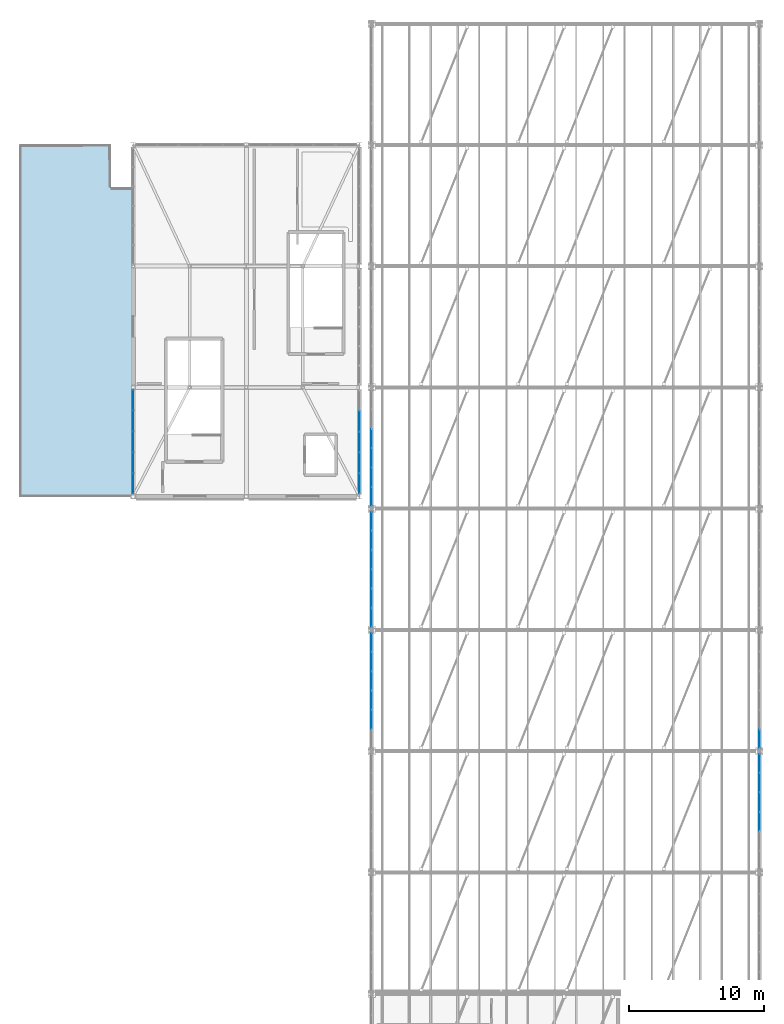
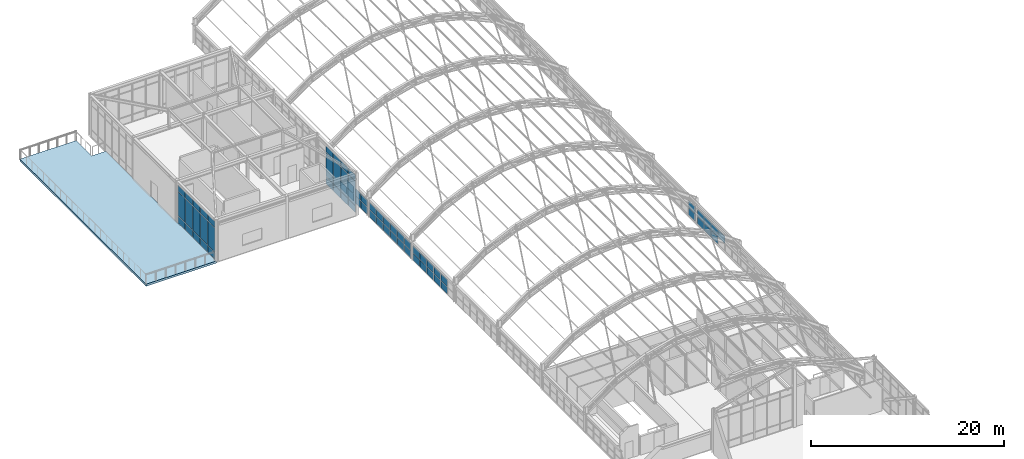
# One storey, part 99 of 121: 65 plates, 1 slab, 7 elements without a shape of their own.
"""IFC4 building model written with IfcOpenShell, lengths in metres."""

from ifc_helpers import new_model, si_unit, direction, frame, origin, origin_2d, place, context, subcontext, project, spatial, polyline, rectangle, outline, extrude, material, layer, layer_set, type_object, element, aggregate, save


model = new_model("IFC4")

# Units and contexts
model_context = context("Model", 3, precision=1e-05, world=origin(), true_north=direction((0.0, 1.0)))
body_context = subcontext(model_context, "Body", "Model", "MODEL_VIEW")
ifc_project = project(units=[si_unit("LENGTHUNIT", "METRE"), si_unit("AREAUNIT", "SQUARE_METRE"), si_unit("VOLUMEUNIT", "CUBIC_METRE"), si_unit("PLANEANGLEUNIT", "RADIAN"), si_unit("MASSUNIT", "GRAM", prefix="KILO")], contexts=[model_context])

# Site, building, storey
site_placement = place(None, origin())
site = spatial("IfcSite", under=ifc_project, at=site_placement, CompositionType="ELEMENT")
building_placement = place(site_placement, origin())
building = spatial("IfcBuilding", under=site, at=building_placement, Name="Canglan Escarpment Cableway Terminal", CompositionType="ELEMENT")
storey_placement = place(building_placement, frame((0.0, 0.0, 24.60009765625)))
storey = spatial("IfcBuildingStorey", under=building, at=storey_placement, Name="L05", CompositionType="ELEMENT", Elevation=24.60009765625)

# Curtain wall, plates
ifc_material_1 = material(Name="Anodized bronze aluminium and Low-E double glazing", Category="aluminium")
curtain_wall_type_1 = type_object("IfcCurtainWallType", Name="CW-BAY-8650x1950", PredefinedType="NOTDEFINED", material=ifc_material_1)
curtain_wall_1_placement = place(storey_placement, origin())
curtain_wall_1 = element("IfcCurtainWall", 1, at=curtain_wall_1_placement, inside=storey, type_object=curtain_wall_type_1, Name="Classical bay-between-piers glazed curtain wall CW-66", PredefinedType="NOTDEFINED")
ifc_material_2 = material(Name="Double-silver Low-E laminated insulating glass", Category="glass")
ifc_layer_1 = layer(ifc_material_2, 0.02392578125, Name="Double-silver Low-E laminated insulating glass")
ifc_layer_set_1 = layer_set([ifc_layer_1], Name="Double-silver Low-E laminated insulating glass")
plate_type_1 = type_object("IfcPlateType", Name="CWP-01", PredefinedType="CURTAIN_PANEL", material=ifc_layer_set_1)
plate_1_placement = place(storey_placement, frame((166.39990234375, 64.779052734375, 1.0048828125), z_axis=(0.0, 0.0, 1.0), x_axis=(0.0, 1.0, 0.0)))
plate_1 = element("IfcPlate", 2, at=plate_1_placement, type_object=plate_type_1, Name="CW-66 panel 3.2", PredefinedType="CURTAIN_PANEL", context=body_context, shape_type="SweptSolid", body=[
    extrude(rectangle(XDim=1.376708984375, YDim=0.02392578125, at=origin_2d()), origin(), (0.0, 0.0, 1.0), 0.885009765625),
])
plate_2_placement = place(storey_placement, frame((166.39990234375, 66.220947265625, 0.06005859375), z_axis=(0.0, 0.0, 1.0), x_axis=(0.0, 1.0, 0.0)))
plate_2 = element("IfcPlate", 3, at=plate_2_placement, type_object=plate_type_1, Name="CW-66 panel 4.1", PredefinedType="CURTAIN_PANEL", context=body_context, shape_type="SweptSolid", body=[
    extrude(rectangle(XDim=1.376708984375, YDim=0.02392578125, at=origin_2d()), origin(), (0.0, 0.0, 1.0), 0.885009765625),
])
plate_3_placement = place(storey_placement, frame((166.39990234375, 66.220947265625, 1.0048828125), z_axis=(0.0, 0.0, 1.0), x_axis=(0.0, 1.0, 0.0)))
plate_3 = element("IfcPlate", 4, at=plate_3_placement, type_object=plate_type_1, Name="CW-66 panel 4.2", PredefinedType="CURTAIN_PANEL", context=body_context, shape_type="SweptSolid", body=[
    extrude(rectangle(XDim=1.376708984375, YDim=0.02392578125, at=origin_2d()), origin(), (0.0, 0.0, 1.0), 0.885009765625),
])
plate_4_placement = place(storey_placement, frame((166.39990234375, 67.66259765625, 0.06005859375), z_axis=(0.0, 0.0, 1.0), x_axis=(0.0, 1.0, 0.0)))
plate_4 = element("IfcPlate", 5, at=plate_4_placement, type_object=plate_type_1, Name="CW-66 panel 5.1", PredefinedType="CURTAIN_PANEL", context=body_context, shape_type="SweptSolid", body=[
    extrude(rectangle(XDim=1.376708984375, YDim=0.02392578125, at=origin_2d()), origin(), (0.0, 0.0, 1.0), 0.885009765625),
])
plate_5_placement = place(storey_placement, frame((166.39990234375, 67.66259765625, 1.0048828125), z_axis=(0.0, 0.0, 1.0), x_axis=(0.0, 1.0, 0.0)))
plate_5 = element("IfcPlate", 6, at=plate_5_placement, type_object=plate_type_1, Name="CW-66 panel 5.2", PredefinedType="CURTAIN_PANEL", context=body_context, shape_type="SweptSolid", body=[
    extrude(rectangle(XDim=1.376708984375, YDim=0.02392578125, at=origin_2d()), origin(), (0.0, 0.0, 1.0), 0.885009765625),
])
plate_6_placement = place(storey_placement, frame((166.39990234375, 69.087890625, 0.06005859375), z_axis=(0.0, 0.0, 1.0), x_axis=(0.0, 1.0, 0.0)))
plate_6 = element("IfcPlate", 7, at=plate_6_placement, type_object=plate_type_1, Name="CW-66 panel 6.1", PredefinedType="CURTAIN_PANEL", context=body_context, shape_type="SweptSolid", body=[
    extrude(rectangle(XDim=1.34423828125, YDim=0.02392578125, at=origin_2d()), origin(), (0.0, 0.0, 1.0), 0.885009765625),
])
plate_7_placement = place(storey_placement, frame((166.39990234375, 69.087890625, 1.0048828125), z_axis=(0.0, 0.0, 1.0), x_axis=(0.0, 1.0, 0.0)))
plate_7 = element("IfcPlate", 8, at=plate_7_placement, type_object=plate_type_1, Name="CW-66 panel 6.2", PredefinedType="CURTAIN_PANEL", context=body_context, shape_type="SweptSolid", body=[
    extrude(rectangle(XDim=1.34423828125, YDim=0.02392578125, at=origin_2d()), origin(), (0.0, 0.0, 1.0), 0.885009765625),
])
aggregate(curtain_wall_1, [plate_1, plate_2, plate_3, plate_4, plate_5, plate_6, plate_7])

curtain_wall_2_placement = place(storey_placement, origin())
curtain_wall_2 = element("IfcCurtainWall", 9, at=curtain_wall_2_placement, inside=storey, type_object=curtain_wall_type_1, Name="Classical bay-between-piers glazed curtain wall CW-66", PredefinedType="NOTDEFINED")
plate_8_placement = place(storey_placement, frame((137.60009765625, 78.087890625, 0.06005859375), z_axis=(0.0, 0.0, 1.0), x_axis=(0.0, -1.0, 0.0)))
plate_8 = element("IfcPlate", 10, at=plate_8_placement, type_object=plate_type_1, Name="CW-66 panel 1.1", PredefinedType="CURTAIN_PANEL", context=body_context, shape_type="SweptSolid", body=[
    extrude(rectangle(XDim=1.34423828125, YDim=0.02392578125, at=origin_2d()), origin(), (0.0, 0.0, 1.0), 0.885009765625),
])
plate_9_placement = place(storey_placement, frame((137.60009765625, 78.087890625, 1.0048828125), z_axis=(0.0, 0.0, 1.0), x_axis=(0.0, -1.0, 0.0)))
plate_9 = element("IfcPlate", 11, at=plate_9_placement, type_object=plate_type_1, Name="CW-66 panel 1.2", PredefinedType="CURTAIN_PANEL", context=body_context, shape_type="SweptSolid", body=[
    extrude(rectangle(XDim=1.34423828125, YDim=0.02392578125, at=origin_2d()), origin(), (0.0, 0.0, 1.0), 0.885009765625),
])
plate_10_placement = place(storey_placement, frame((137.60009765625, 76.66259765625, 0.06005859375), z_axis=(0.0, 0.0, 1.0), x_axis=(0.0, -1.0, 0.0)))
plate_10 = element("IfcPlate", 12, at=plate_10_placement, type_object=plate_type_1, Name="CW-66 panel 2.1", PredefinedType="CURTAIN_PANEL", context=body_context, shape_type="SweptSolid", body=[
    extrude(rectangle(XDim=1.376708984375, YDim=0.02392578125, at=origin_2d()), origin(), (0.0, 0.0, 1.0), 0.885009765625),
])
plate_11_placement = place(storey_placement, frame((137.60009765625, 76.66259765625, 1.0048828125), z_axis=(0.0, 0.0, 1.0), x_axis=(0.0, -1.0, 0.0)))
plate_11 = element("IfcPlate", 13, at=plate_11_placement, type_object=plate_type_1, Name="CW-66 panel 2.2", PredefinedType="CURTAIN_PANEL", context=body_context, shape_type="SweptSolid", body=[
    extrude(rectangle(XDim=1.376708984375, YDim=0.02392578125, at=origin_2d()), origin(), (0.0, 0.0, 1.0), 0.885009765625),
])
plate_12_placement = place(storey_placement, frame((137.60009765625, 75.220947265625, 0.06005859375), z_axis=(0.0, 0.0, 1.0), x_axis=(0.0, -1.0, 0.0)))
plate_12 = element("IfcPlate", 14, at=plate_12_placement, type_object=plate_type_1, Name="CW-66 panel 3.1", PredefinedType="CURTAIN_PANEL", context=body_context, shape_type="SweptSolid", body=[
    extrude(rectangle(XDim=1.376708984375, YDim=0.02392578125, at=origin_2d()), origin(), (0.0, 0.0, 1.0), 0.885009765625),
])
plate_13_placement = place(storey_placement, frame((137.60009765625, 75.220947265625, 1.0048828125), z_axis=(0.0, 0.0, 1.0), x_axis=(0.0, -1.0, 0.0)))
plate_13 = element("IfcPlate", 15, at=plate_13_placement, type_object=plate_type_1, Name="CW-66 panel 3.2", PredefinedType="CURTAIN_PANEL", context=body_context, shape_type="SweptSolid", body=[
    extrude(rectangle(XDim=1.376708984375, YDim=0.02392578125, at=origin_2d()), origin(), (0.0, 0.0, 1.0), 0.885009765625),
])
plate_14_placement = place(storey_placement, frame((137.60009765625, 73.779052734375, 0.06005859375), z_axis=(0.0, 0.0, 1.0), x_axis=(0.0, -1.0, 0.0)))
plate_14 = element("IfcPlate", 16, at=plate_14_placement, type_object=plate_type_1, Name="CW-66 panel 4.1", PredefinedType="CURTAIN_PANEL", context=body_context, shape_type="SweptSolid", body=[
    extrude(rectangle(XDim=1.376708984375, YDim=0.02392578125, at=origin_2d()), origin(), (0.0, 0.0, 1.0), 0.885009765625),
])
plate_15_placement = place(storey_placement, frame((137.60009765625, 73.779052734375, 1.0048828125), z_axis=(0.0, 0.0, 1.0), x_axis=(0.0, -1.0, 0.0)))
plate_15 = element("IfcPlate", 17, at=plate_15_placement, type_object=plate_type_1, Name="CW-66 panel 4.2", PredefinedType="CURTAIN_PANEL", context=body_context, shape_type="SweptSolid", body=[
    extrude(rectangle(XDim=1.376708984375, YDim=0.02392578125, at=origin_2d()), origin(), (0.0, 0.0, 1.0), 0.885009765625),
])
plate_16_placement = place(storey_placement, frame((137.60009765625, 72.33740234375, 0.06005859375), z_axis=(0.0, 0.0, 1.0), x_axis=(0.0, -1.0, 0.0)))
plate_16 = element("IfcPlate", 18, at=plate_16_placement, type_object=plate_type_1, Name="CW-66 panel 5.1", PredefinedType="CURTAIN_PANEL", context=body_context, shape_type="SweptSolid", body=[
    extrude(rectangle(XDim=1.376708984375, YDim=0.02392578125, at=origin_2d()), origin(), (0.0, 0.0, 1.0), 0.885009765625),
])
plate_17_placement = place(storey_placement, frame((137.60009765625, 72.33740234375, 1.0048828125), z_axis=(0.0, 0.0, 1.0), x_axis=(0.0, -1.0, 0.0)))
plate_17 = element("IfcPlate", 19, at=plate_17_placement, type_object=plate_type_1, Name="CW-66 panel 5.2", PredefinedType="CURTAIN_PANEL", context=body_context, shape_type="SweptSolid", body=[
    extrude(rectangle(XDim=1.376708984375, YDim=0.02392578125, at=origin_2d()), origin(), (0.0, 0.0, 1.0), 0.885009765625),
])
aggregate(curtain_wall_2, [plate_8, plate_9, plate_10, plate_11, plate_12, plate_13, plate_14, plate_15, plate_16, plate_17])

curtain_wall_type_2 = type_object("IfcCurtainWallType", Name="CW-BAY-7750x4875", PredefinedType="NOTDEFINED", material=ifc_material_1)
curtain_wall_3_placement = place(storey_placement, origin())
curtain_wall_3 = element("IfcCurtainWall", 20, at=curtain_wall_3_placement, inside=storey, type_object=curtain_wall_type_2, Name="Classical bay-between-piers glazed curtain wall CW-57", PredefinedType="NOTDEFINED")
ifc_layer_2 = layer(ifc_material_2, 0.028076171875, Name="Double-silver Low-E laminated insulating glass")
ifc_layer_set_2 = layer_set([ifc_layer_2], Name="Double-silver Low-E laminated insulating glass")
plate_type_2 = type_object("IfcPlateType", Name="CWP-02", PredefinedType="CURTAIN_PANEL", material=ifc_layer_set_2)
plate_18_placement = place(storey_placement, frame((136.699951171875, 89.8662109375, 0.06005859375), z_axis=(0.0, 0.0, 1.0), x_axis=(0.0, 1.0, 0.0)))
plate_18 = element("IfcPlate", 21, at=plate_18_placement, type_object=plate_type_2, Name="CW-57 panel 1.1", PredefinedType="CURTAIN_PANEL", context=body_context, shape_type="SweptSolid", body=[
    extrude(rectangle(XDim=1.452392578125, YDim=0.028076171875, at=origin_2d()), origin(), (0.0, 0.0, 1.0), 0.860107421875),
])
plate_19_placement = place(storey_placement, frame((136.699951171875, 89.8662109375, 0.97998046875), z_axis=(0.0, 0.0, 1.0), x_axis=(0.0, 1.0, 0.0)))
plate_19 = element("IfcPlate", 22, at=plate_19_placement, type_object=plate_type_2, Name="CW-57 panel 1.2", PredefinedType="CURTAIN_PANEL", context=body_context, shape_type="SweptSolid", body=[
    extrude(rectangle(XDim=1.452392578125, YDim=0.028076171875, at=origin_2d()), origin(), (0.0, 0.0, 1.0), 3.02099609375),
])
plate_20_placement = place(storey_placement, frame((136.699951171875, 89.8662109375, 4.06103515625), z_axis=(0.0, 0.0, 1.0), x_axis=(0.0, 1.0, 0.0)))
plate_20 = element("IfcPlate", 23, at=plate_20_placement, type_object=plate_type_2, Name="CW-57 panel 1.3", PredefinedType="CURTAIN_PANEL", context=body_context, shape_type="SweptSolid", body=[
    extrude(rectangle(XDim=1.452392578125, YDim=0.028076171875, at=origin_2d()), origin(), (0.0, 0.0, 1.0), 0.760009765625),
])
plate_21_placement = place(storey_placement, frame((136.699951171875, 91.39990234375, 0.06005859375), z_axis=(0.0, 0.0, 1.0), x_axis=(0.0, 1.0, 0.0)))
plate_21 = element("IfcPlate", 24, at=plate_21_placement, type_object=plate_type_2, Name="CW-57 panel 2.1", PredefinedType="CURTAIN_PANEL", context=body_context, shape_type="SweptSolid", body=[
    extrude(rectangle(XDim=1.485107421875, YDim=0.028076171875, at=origin_2d()), origin(), (0.0, 0.0, 1.0), 0.860107421875),
])
plate_22_placement = place(storey_placement, frame((136.699951171875, 91.39990234375, 0.97998046875), z_axis=(0.0, 0.0, 1.0), x_axis=(0.0, 1.0, 0.0)))
plate_22 = element("IfcPlate", 25, at=plate_22_placement, type_object=plate_type_2, Name="CW-57 panel 2.2", PredefinedType="CURTAIN_PANEL", context=body_context, shape_type="SweptSolid", body=[
    extrude(rectangle(XDim=1.485107421875, YDim=0.028076171875, at=origin_2d()), origin(), (0.0, 0.0, 1.0), 3.02099609375),
])
plate_23_placement = place(storey_placement, frame((136.699951171875, 91.39990234375, 4.06103515625), z_axis=(0.0, 0.0, 1.0), x_axis=(0.0, 1.0, 0.0)))
plate_23 = element("IfcPlate", 26, at=plate_23_placement, type_object=plate_type_2, Name="CW-57 panel 2.3", PredefinedType="CURTAIN_PANEL", context=body_context, shape_type="SweptSolid", body=[
    extrude(rectangle(XDim=1.485107421875, YDim=0.028076171875, at=origin_2d()), origin(), (0.0, 0.0, 1.0), 0.760009765625),
])
plate_24_placement = place(storey_placement, frame((136.699951171875, 92.949951171875, 0.06005859375), z_axis=(0.0, 0.0, 1.0), x_axis=(0.0, 1.0, 0.0)))
plate_24 = element("IfcPlate", 27, at=plate_24_placement, type_object=plate_type_2, Name="CW-57 panel 3.1", PredefinedType="CURTAIN_PANEL", context=body_context, shape_type="SweptSolid", body=[
    extrude(rectangle(XDim=1.485107421875, YDim=0.028076171875, at=origin_2d()), origin(), (0.0, 0.0, 1.0), 0.860107421875),
])
plate_25_placement = place(storey_placement, frame((136.699951171875, 92.949951171875, 0.97998046875), z_axis=(0.0, 0.0, 1.0), x_axis=(0.0, 1.0, 0.0)))
plate_25 = element("IfcPlate", 28, at=plate_25_placement, type_object=plate_type_2, Name="CW-57 panel 3.2", PredefinedType="CURTAIN_PANEL", context=body_context, shape_type="SweptSolid", body=[
    extrude(rectangle(XDim=1.485107421875, YDim=0.028076171875, at=origin_2d()), origin(), (0.0, 0.0, 1.0), 3.02099609375),
])
plate_26_placement = place(storey_placement, frame((136.699951171875, 92.949951171875, 4.06103515625), z_axis=(0.0, 0.0, 1.0), x_axis=(0.0, 1.0, 0.0)))
plate_26 = element("IfcPlate", 29, at=plate_26_placement, type_object=plate_type_2, Name="CW-57 panel 3.3", PredefinedType="CURTAIN_PANEL", context=body_context, shape_type="SweptSolid", body=[
    extrude(rectangle(XDim=1.485107421875, YDim=0.028076171875, at=origin_2d()), origin(), (0.0, 0.0, 1.0), 0.760009765625),
])
plate_27_placement = place(storey_placement, frame((136.699951171875, 94.5, 0.06005859375), z_axis=(0.0, 0.0, 1.0), x_axis=(0.0, 1.0, 0.0)))
plate_27 = element("IfcPlate", 30, at=plate_27_placement, type_object=plate_type_2, Name="CW-57 panel 4.1", PredefinedType="CURTAIN_PANEL", context=body_context, shape_type="SweptSolid", body=[
    extrude(rectangle(XDim=1.485107421875, YDim=0.028076171875, at=origin_2d()), origin(), (0.0, 0.0, 1.0), 0.860107421875),
])
plate_28_placement = place(storey_placement, frame((136.699951171875, 94.5, 0.97998046875), z_axis=(0.0, 0.0, 1.0), x_axis=(0.0, 1.0, 0.0)))
plate_28 = element("IfcPlate", 31, at=plate_28_placement, type_object=plate_type_2, Name="CW-57 panel 4.2", PredefinedType="CURTAIN_PANEL", context=body_context, shape_type="SweptSolid", body=[
    extrude(rectangle(XDim=1.485107421875, YDim=0.028076171875, at=origin_2d()), origin(), (0.0, 0.0, 1.0), 3.02099609375),
])
plate_29_placement = place(storey_placement, frame((136.699951171875, 94.5, 4.06103515625), z_axis=(0.0, 0.0, 1.0), x_axis=(0.0, 1.0, 0.0)))
plate_29 = element("IfcPlate", 32, at=plate_29_placement, type_object=plate_type_2, Name="CW-57 panel 4.3", PredefinedType="CURTAIN_PANEL", context=body_context, shape_type="SweptSolid", body=[
    extrude(rectangle(XDim=1.485107421875, YDim=0.028076171875, at=origin_2d()), origin(), (0.0, 0.0, 1.0), 0.760009765625),
])
aggregate(curtain_wall_3, [plate_18, plate_19, plate_20, plate_21, plate_22, plate_23, plate_24, plate_25, plate_26, plate_27, plate_28, plate_29])

curtain_wall_type_3 = type_object("IfcCurtainWallType", Name="CW-BAY-7775x4875", PredefinedType="NOTDEFINED", material=ifc_material_1)
curtain_wall_4_placement = place(storey_placement, origin())
curtain_wall_4 = element("IfcCurtainWall", 33, at=curtain_wall_4_placement, inside=storey, type_object=curtain_wall_type_3, Name="Classical bay-between-piers glazed curtain wall CW-60", PredefinedType="NOTDEFINED")
plate_30_placement = place(storey_placement, frame((119.89990234375, 96.056640625, 0.06005859375), z_axis=(0.0, 0.0, 1.0), x_axis=(0.0, -1.0, 0.0)))
plate_30 = element("IfcPlate", 34, at=plate_30_placement, type_object=plate_type_2, Name="CW-60 panel 1.1", PredefinedType="CURTAIN_PANEL", context=body_context, shape_type="SweptSolid", body=[
    extrude(rectangle(XDim=1.45703125, YDim=0.028076171875, at=origin_2d()), origin(), (0.0, 0.0, 1.0), 0.860107421875),
])
plate_31_placement = place(storey_placement, frame((119.89990234375, 96.056640625, 0.97998046875), z_axis=(0.0, 0.0, 1.0), x_axis=(0.0, -1.0, 0.0)))
plate_31 = element("IfcPlate", 35, at=plate_31_placement, type_object=plate_type_2, Name="CW-60 panel 1.2", PredefinedType="CURTAIN_PANEL", context=body_context, shape_type="SweptSolid", body=[
    extrude(rectangle(XDim=1.45703125, YDim=0.028076171875, at=origin_2d()), origin(), (0.0, 0.0, 1.0), 3.02099609375),
])
plate_32_placement = place(storey_placement, frame((119.89990234375, 96.056640625, 4.06103515625), z_axis=(0.0, 0.0, 1.0), x_axis=(0.0, -1.0, 0.0)))
plate_32 = element("IfcPlate", 36, at=plate_32_placement, type_object=plate_type_2, Name="CW-60 panel 1.3", PredefinedType="CURTAIN_PANEL", context=body_context, shape_type="SweptSolid", body=[
    extrude(rectangle(XDim=1.45703125, YDim=0.028076171875, at=origin_2d()), origin(), (0.0, 0.0, 1.0), 0.760009765625),
])
plate_33_placement = place(storey_placement, frame((119.89990234375, 94.518310546875, 0.06005859375), z_axis=(0.0, 0.0, 1.0), x_axis=(0.0, -1.0, 0.0)))
plate_33 = element("IfcPlate", 37, at=plate_33_placement, type_object=plate_type_2, Name="CW-60 panel 2.1", PredefinedType="CURTAIN_PANEL", context=body_context, shape_type="SweptSolid", body=[
    extrude(rectangle(XDim=1.489501953125, YDim=0.028076171875, at=origin_2d()), origin(), (0.0, 0.0, 1.0), 0.860107421875),
])
plate_34_placement = place(storey_placement, frame((119.89990234375, 94.518310546875, 0.97998046875), z_axis=(0.0, 0.0, 1.0), x_axis=(0.0, -1.0, 0.0)))
plate_34 = element("IfcPlate", 38, at=plate_34_placement, type_object=plate_type_2, Name="CW-60 panel 2.2", PredefinedType="CURTAIN_PANEL", context=body_context, shape_type="SweptSolid", body=[
    extrude(rectangle(XDim=1.489501953125, YDim=0.028076171875, at=origin_2d()), origin(), (0.0, 0.0, 1.0), 3.02099609375),
])
plate_35_placement = place(storey_placement, frame((119.89990234375, 94.518310546875, 4.06103515625), z_axis=(0.0, 0.0, 1.0), x_axis=(0.0, -1.0, 0.0)))
plate_35 = element("IfcPlate", 39, at=plate_35_placement, type_object=plate_type_2, Name="CW-60 panel 2.3", PredefinedType="CURTAIN_PANEL", context=body_context, shape_type="SweptSolid", body=[
    extrude(rectangle(XDim=1.489501953125, YDim=0.028076171875, at=origin_2d()), origin(), (0.0, 0.0, 1.0), 0.760009765625),
])
plate_36_placement = place(storey_placement, frame((119.89990234375, 92.9638671875, 0.06005859375), z_axis=(0.0, 0.0, 1.0), x_axis=(0.0, -1.0, 0.0)))
plate_36 = element("IfcPlate", 40, at=plate_36_placement, type_object=plate_type_2, Name="CW-60 panel 3.1", PredefinedType="CURTAIN_PANEL", context=body_context, shape_type="SweptSolid", body=[
    extrude(rectangle(XDim=1.489501953125, YDim=0.028076171875, at=origin_2d()), origin(), (0.0, 0.0, 1.0), 0.860107421875),
])
plate_37_placement = place(storey_placement, frame((119.89990234375, 92.9638671875, 0.97998046875), z_axis=(0.0, 0.0, 1.0), x_axis=(0.0, -1.0, 0.0)))
plate_37 = element("IfcPlate", 41, at=plate_37_placement, type_object=plate_type_2, Name="CW-60 panel 3.2", PredefinedType="CURTAIN_PANEL", context=body_context, shape_type="SweptSolid", body=[
    extrude(rectangle(XDim=1.489501953125, YDim=0.028076171875, at=origin_2d()), origin(), (0.0, 0.0, 1.0), 3.02099609375),
])
plate_38_placement = place(storey_placement, frame((119.89990234375, 92.9638671875, 4.06103515625), z_axis=(0.0, 0.0, 1.0), x_axis=(0.0, -1.0, 0.0)))
plate_38 = element("IfcPlate", 42, at=plate_38_placement, type_object=plate_type_2, Name="CW-60 panel 3.3", PredefinedType="CURTAIN_PANEL", context=body_context, shape_type="SweptSolid", body=[
    extrude(rectangle(XDim=1.489501953125, YDim=0.028076171875, at=origin_2d()), origin(), (0.0, 0.0, 1.0), 0.760009765625),
])
plate_39_placement = place(storey_placement, frame((119.89990234375, 91.409423828125, 0.06005859375), z_axis=(0.0, 0.0, 1.0), x_axis=(0.0, -1.0, 0.0)))
plate_39 = element("IfcPlate", 43, at=plate_39_placement, type_object=plate_type_2, Name="CW-60 panel 4.1", PredefinedType="CURTAIN_PANEL", context=body_context, shape_type="SweptSolid", body=[
    extrude(rectangle(XDim=1.489501953125, YDim=0.028076171875, at=origin_2d()), origin(), (0.0, 0.0, 1.0), 0.860107421875),
])
plate_40_placement = place(storey_placement, frame((119.89990234375, 91.409423828125, 0.97998046875), z_axis=(0.0, 0.0, 1.0), x_axis=(0.0, -1.0, 0.0)))
plate_40 = element("IfcPlate", 44, at=plate_40_placement, type_object=plate_type_2, Name="CW-60 panel 4.2", PredefinedType="CURTAIN_PANEL", context=body_context, shape_type="SweptSolid", body=[
    extrude(rectangle(XDim=1.489501953125, YDim=0.028076171875, at=origin_2d()), origin(), (0.0, 0.0, 1.0), 3.02099609375),
])
plate_41_placement = place(storey_placement, frame((119.89990234375, 91.409423828125, 4.06103515625), z_axis=(0.0, 0.0, 1.0), x_axis=(0.0, -1.0, 0.0)))
plate_41 = element("IfcPlate", 45, at=plate_41_placement, type_object=plate_type_2, Name="CW-60 panel 4.3", PredefinedType="CURTAIN_PANEL", context=body_context, shape_type="SweptSolid", body=[
    extrude(rectangle(XDim=1.489501953125, YDim=0.028076171875, at=origin_2d()), origin(), (0.0, 0.0, 1.0), 0.760009765625),
])
plate_42_placement = place(storey_placement, frame((119.89990234375, 89.871337890625, 0.06005859375), z_axis=(0.0, 0.0, 1.0), x_axis=(0.0, -1.0, 0.0)))
plate_42 = element("IfcPlate", 46, at=plate_42_placement, type_object=plate_type_2, Name="CW-60 panel 5.1", PredefinedType="CURTAIN_PANEL", context=body_context, shape_type="SweptSolid", body=[
    extrude(rectangle(XDim=1.45703125, YDim=0.028076171875, at=origin_2d()), origin(), (0.0, 0.0, 1.0), 0.860107421875),
])
plate_43_placement = place(storey_placement, frame((119.89990234375, 89.871337890625, 0.97998046875), z_axis=(0.0, 0.0, 1.0), x_axis=(0.0, -1.0, 0.0)))
plate_43 = element("IfcPlate", 47, at=plate_43_placement, type_object=plate_type_2, Name="CW-60 panel 5.2", PredefinedType="CURTAIN_PANEL", context=body_context, shape_type="SweptSolid", body=[
    extrude(rectangle(XDim=1.45703125, YDim=0.028076171875, at=origin_2d()), origin(), (0.0, 0.0, 1.0), 3.02099609375),
])
plate_44_placement = place(storey_placement, frame((119.89990234375, 89.871337890625, 4.06103515625), z_axis=(0.0, 0.0, 1.0), x_axis=(0.0, -1.0, 0.0)))
plate_44 = element("IfcPlate", 48, at=plate_44_placement, type_object=plate_type_2, Name="CW-60 panel 5.3", PredefinedType="CURTAIN_PANEL", context=body_context, shape_type="SweptSolid", body=[
    extrude(rectangle(XDim=1.45703125, YDim=0.028076171875, at=origin_2d()), origin(), (0.0, 0.0, 1.0), 0.760009765625),
])
aggregate(curtain_wall_4, [plate_30, plate_31, plate_32, plate_33, plate_34, plate_35, plate_36, plate_37, plate_38, plate_39, plate_40, plate_41, plate_42, plate_43, plate_44])

curtain_wall_5_placement = place(storey_placement, origin())
curtain_wall_5 = element("IfcCurtainWall", 49, at=curtain_wall_5_placement, inside=storey, type_object=curtain_wall_type_1, Name="Classical bay-between-piers glazed curtain wall CW-66", PredefinedType="NOTDEFINED")
plate_45_placement = place(storey_placement, frame((166.39990234375, 70.912109375, 0.06494140625), z_axis=(0.0, 0.0, 1.0), x_axis=(0.0, 1.0, 0.0)))
plate_45 = element("IfcPlate", 50, at=plate_45_placement, type_object=plate_type_2, Name="CW-66 panel 1.1", PredefinedType="CURTAIN_PANEL", context=body_context, shape_type="SweptSolid", body=[
    extrude(rectangle(XDim=1.34423828125, YDim=0.028076171875, at=origin_2d()), origin(), (0.0, 0.0, 1.0), 0.87744140625),
])
plate_46_placement = place(storey_placement, frame((166.39990234375, 70.912109375, 1.00732421875), z_axis=(0.0, 0.0, 1.0), x_axis=(0.0, 1.0, 0.0)))
plate_46 = element("IfcPlate", 51, at=plate_46_placement, type_object=plate_type_2, Name="CW-66 panel 1.2", PredefinedType="CURTAIN_PANEL", context=body_context, shape_type="SweptSolid", body=[
    extrude(rectangle(XDim=1.34423828125, YDim=0.028076171875, at=origin_2d()), origin(), (0.0, 0.0, 1.0), 0.87744140625),
])
aggregate(curtain_wall_5, [plate_45, plate_46])

curtain_wall_6_placement = place(storey_placement, origin())
curtain_wall_6 = element("IfcCurtainWall", 52, at=curtain_wall_6_placement, inside=storey, type_object=curtain_wall_type_1, Name="Classical bay-between-piers glazed curtain wall CW-66", PredefinedType="NOTDEFINED")
plate_47_placement = place(storey_placement, frame((137.60009765625, 87.087890625, 0.06494140625), z_axis=(0.0, 0.0, 1.0), x_axis=(0.0, -1.0, 0.0)))
plate_47 = element("IfcPlate", 53, at=plate_47_placement, type_object=plate_type_2, Name="CW-66 panel 1.1", PredefinedType="CURTAIN_PANEL", context=body_context, shape_type="SweptSolid", body=[
    extrude(rectangle(XDim=1.34423828125, YDim=0.028076171875, at=origin_2d()), origin(), (0.0, 0.0, 1.0), 0.87744140625),
])
plate_48_placement = place(storey_placement, frame((137.60009765625, 87.087890625, 1.00732421875), z_axis=(0.0, 0.0, 1.0), x_axis=(0.0, -1.0, 0.0)))
plate_48 = element("IfcPlate", 54, at=plate_48_placement, type_object=plate_type_2, Name="CW-66 panel 1.2", PredefinedType="CURTAIN_PANEL", context=body_context, shape_type="SweptSolid", body=[
    extrude(rectangle(XDim=1.34423828125, YDim=0.028076171875, at=origin_2d()), origin(), (0.0, 0.0, 1.0), 0.87744140625),
])
plate_49_placement = place(storey_placement, frame((137.60009765625, 85.66259765625, 0.06494140625), z_axis=(0.0, 0.0, 1.0), x_axis=(0.0, -1.0, 0.0)))
plate_49 = element("IfcPlate", 55, at=plate_49_placement, type_object=plate_type_2, Name="CW-66 panel 2.1", PredefinedType="CURTAIN_PANEL", context=body_context, shape_type="SweptSolid", body=[
    extrude(rectangle(XDim=1.376708984375, YDim=0.028076171875, at=origin_2d()), origin(), (0.0, 0.0, 1.0), 0.87744140625),
])
plate_50_placement = place(storey_placement, frame((137.60009765625, 85.66259765625, 1.00732421875), z_axis=(0.0, 0.0, 1.0), x_axis=(0.0, -1.0, 0.0)))
plate_50 = element("IfcPlate", 56, at=plate_50_placement, type_object=plate_type_2, Name="CW-66 panel 2.2", PredefinedType="CURTAIN_PANEL", context=body_context, shape_type="SweptSolid", body=[
    extrude(rectangle(XDim=1.376708984375, YDim=0.028076171875, at=origin_2d()), origin(), (0.0, 0.0, 1.0), 0.87744140625),
])
plate_51_placement = place(storey_placement, frame((137.60009765625, 84.220947265625, 0.06494140625), z_axis=(0.0, 0.0, 1.0), x_axis=(0.0, -1.0, 0.0)))
plate_51 = element("IfcPlate", 57, at=plate_51_placement, type_object=plate_type_2, Name="CW-66 panel 3.1", PredefinedType="CURTAIN_PANEL", context=body_context, shape_type="SweptSolid", body=[
    extrude(rectangle(XDim=1.376708984375, YDim=0.028076171875, at=origin_2d()), origin(), (0.0, 0.0, 1.0), 0.87744140625),
])
plate_52_placement = place(storey_placement, frame((137.60009765625, 84.220947265625, 1.00732421875), z_axis=(0.0, 0.0, 1.0), x_axis=(0.0, -1.0, 0.0)))
plate_52 = element("IfcPlate", 58, at=plate_52_placement, type_object=plate_type_2, Name="CW-66 panel 3.2", PredefinedType="CURTAIN_PANEL", context=body_context, shape_type="SweptSolid", body=[
    extrude(rectangle(XDim=1.376708984375, YDim=0.028076171875, at=origin_2d()), origin(), (0.0, 0.0, 1.0), 0.87744140625),
])
plate_53_placement = place(storey_placement, frame((137.60009765625, 82.779052734375, 0.06494140625), z_axis=(0.0, 0.0, 1.0), x_axis=(0.0, -1.0, 0.0)))
plate_53 = element("IfcPlate", 59, at=plate_53_placement, type_object=plate_type_2, Name="CW-66 panel 4.1", PredefinedType="CURTAIN_PANEL", context=body_context, shape_type="SweptSolid", body=[
    extrude(rectangle(XDim=1.376708984375, YDim=0.028076171875, at=origin_2d()), origin(), (0.0, 0.0, 1.0), 0.87744140625),
])
plate_54_placement = place(storey_placement, frame((137.60009765625, 82.779052734375, 1.00732421875), z_axis=(0.0, 0.0, 1.0), x_axis=(0.0, -1.0, 0.0)))
plate_54 = element("IfcPlate", 60, at=plate_54_placement, type_object=plate_type_2, Name="CW-66 panel 4.2", PredefinedType="CURTAIN_PANEL", context=body_context, shape_type="SweptSolid", body=[
    extrude(rectangle(XDim=1.376708984375, YDim=0.028076171875, at=origin_2d()), origin(), (0.0, 0.0, 1.0), 0.87744140625),
])
plate_55_placement = place(storey_placement, frame((137.60009765625, 81.33740234375, 0.06494140625), z_axis=(0.0, 0.0, 1.0), x_axis=(0.0, -1.0, 0.0)))
plate_55 = element("IfcPlate", 61, at=plate_55_placement, type_object=plate_type_2, Name="CW-66 panel 5.1", PredefinedType="CURTAIN_PANEL", context=body_context, shape_type="SweptSolid", body=[
    extrude(rectangle(XDim=1.376708984375, YDim=0.028076171875, at=origin_2d()), origin(), (0.0, 0.0, 1.0), 0.87744140625),
])
plate_56_placement = place(storey_placement, frame((137.60009765625, 81.33740234375, 1.00732421875), z_axis=(0.0, 0.0, 1.0), x_axis=(0.0, -1.0, 0.0)))
plate_56 = element("IfcPlate", 62, at=plate_56_placement, type_object=plate_type_2, Name="CW-66 panel 5.2", PredefinedType="CURTAIN_PANEL", context=body_context, shape_type="SweptSolid", body=[
    extrude(rectangle(XDim=1.376708984375, YDim=0.028076171875, at=origin_2d()), origin(), (0.0, 0.0, 1.0), 0.87744140625),
])
plate_57_placement = place(storey_placement, frame((137.60009765625, 79.912109375, 0.06494140625), z_axis=(0.0, 0.0, 1.0), x_axis=(0.0, -1.0, 0.0)))
plate_57 = element("IfcPlate", 63, at=plate_57_placement, type_object=plate_type_2, Name="CW-66 panel 6.1", PredefinedType="CURTAIN_PANEL", context=body_context, shape_type="SweptSolid", body=[
    extrude(rectangle(XDim=1.34423828125, YDim=0.028076171875, at=origin_2d()), origin(), (0.0, 0.0, 1.0), 0.87744140625),
])
plate_58_placement = place(storey_placement, frame((137.60009765625, 79.912109375, 1.00732421875), z_axis=(0.0, 0.0, 1.0), x_axis=(0.0, -1.0, 0.0)))
plate_58 = element("IfcPlate", 64, at=plate_58_placement, type_object=plate_type_2, Name="CW-66 panel 6.2", PredefinedType="CURTAIN_PANEL", context=body_context, shape_type="SweptSolid", body=[
    extrude(rectangle(XDim=1.34423828125, YDim=0.028076171875, at=origin_2d()), origin(), (0.0, 0.0, 1.0), 0.87744140625),
])
aggregate(curtain_wall_6, [plate_47, plate_48, plate_49, plate_50, plate_51, plate_52, plate_53, plate_54, plate_55, plate_56, plate_57, plate_58])

curtain_wall_7_placement = place(storey_placement, origin())
curtain_wall_7 = element("IfcCurtainWall", 65, at=curtain_wall_7_placement, inside=storey, type_object=curtain_wall_type_1, Name="Classical bay-between-piers glazed curtain wall CW-66", PredefinedType="NOTDEFINED")
ifc_layer_3 = layer(ifc_material_2, 0.031982421875, Name="Double-silver Low-E laminated insulating glass")
ifc_layer_set_3 = layer_set([ifc_layer_3], Name="Double-silver Low-E laminated insulating glass")
plate_type_3 = type_object("IfcPlateType", Name="CWP-03", PredefinedType="CURTAIN_PANEL", material=ifc_layer_set_3)
plate_59_placement = place(storey_placement, frame((137.60009765625, 93.220947265625, 0.054931640625), z_axis=(0.0, 0.0, 1.0), x_axis=(0.0, -1.0, 0.0)))
plate_59 = element("IfcPlate", 66, at=plate_59_placement, type_object=plate_type_3, Name="CW-66 panel 3.1", PredefinedType="CURTAIN_PANEL", context=body_context, shape_type="SweptSolid", body=[
    extrude(rectangle(XDim=1.381591796875, YDim=0.031982421875, at=origin_2d()), origin(), (0.0, 0.0, 1.0), 0.892578125),
])
plate_60_placement = place(storey_placement, frame((137.60009765625, 91.779052734375, 0.054931640625), z_axis=(0.0, 0.0, 1.0), x_axis=(0.0, -1.0, 0.0)))
plate_60 = element("IfcPlate", 67, at=plate_60_placement, type_object=plate_type_3, Name="CW-66 panel 4.1", PredefinedType="CURTAIN_PANEL", context=body_context, shape_type="SweptSolid", body=[
    extrude(rectangle(XDim=1.381591796875, YDim=0.031982421875, at=origin_2d()), origin(), (0.0, 0.0, 1.0), 0.892578125),
])
plate_61_placement = place(storey_placement, frame((137.60009765625, 91.779052734375, 1.00244140625), z_axis=(0.0, 0.0, 1.0), x_axis=(0.0, -1.0, 0.0)))
plate_61 = element("IfcPlate", 68, at=plate_61_placement, type_object=plate_type_3, Name="CW-66 panel 4.2", PredefinedType="CURTAIN_PANEL", context=body_context, shape_type="SweptSolid", body=[
    extrude(rectangle(XDim=1.381591796875, YDim=0.031982421875, at=origin_2d()), origin(), (0.0, 0.0, 1.0), 0.892578125),
])
plate_62_placement = place(storey_placement, frame((137.60009765625, 90.33740234375, 0.054931640625), z_axis=(0.0, 0.0, 1.0), x_axis=(0.0, -1.0, 0.0)))
plate_62 = element("IfcPlate", 69, at=plate_62_placement, type_object=plate_type_3, Name="CW-66 panel 5.1", PredefinedType="CURTAIN_PANEL", context=body_context, shape_type="SweptSolid", body=[
    extrude(rectangle(XDim=1.381591796875, YDim=0.031982421875, at=origin_2d()), origin(), (0.0, 0.0, 1.0), 0.892578125),
])
plate_63_placement = place(storey_placement, frame((137.60009765625, 90.33740234375, 1.00244140625), z_axis=(0.0, 0.0, 1.0), x_axis=(0.0, -1.0, 0.0)))
plate_63 = element("IfcPlate", 70, at=plate_63_placement, type_object=plate_type_3, Name="CW-66 panel 5.2", PredefinedType="CURTAIN_PANEL", context=body_context, shape_type="SweptSolid", body=[
    extrude(rectangle(XDim=1.381591796875, YDim=0.031982421875, at=origin_2d()), origin(), (0.0, 0.0, 1.0), 0.892578125),
])
plate_64_placement = place(storey_placement, frame((137.60009765625, 88.910888671875, 0.054931640625), z_axis=(0.0, 0.0, 1.0), x_axis=(0.0, -1.0, 0.0)))
plate_64 = element("IfcPlate", 71, at=plate_64_placement, type_object=plate_type_3, Name="CW-66 panel 6.1", PredefinedType="CURTAIN_PANEL", context=body_context, shape_type="SweptSolid", body=[
    extrude(rectangle(XDim=1.3515625, YDim=0.031982421875, at=origin_2d()), origin(), (0.0, 0.0, 1.0), 0.892578125),
])
plate_65_placement = place(storey_placement, frame((137.60009765625, 88.910888671875, 1.00244140625), z_axis=(0.0, 0.0, 1.0), x_axis=(0.0, -1.0, 0.0)))
plate_65 = element("IfcPlate", 72, at=plate_65_placement, type_object=plate_type_3, Name="CW-66 panel 6.2", PredefinedType="CURTAIN_PANEL", context=body_context, shape_type="SweptSolid", body=[
    extrude(rectangle(XDim=1.3515625, YDim=0.031982421875, at=origin_2d()), origin(), (0.0, 0.0, 1.0), 0.892578125),
])
aggregate(curtain_wall_7, [plate_59, plate_60, plate_61, plate_62, plate_63, plate_64, plate_65])

# Slab
ifc_material_3 = material(Name="Concrete C40", Category="concrete")
ifc_layer_4 = layer(ifc_material_3, 0.27001953125, Name="Concrete C40")
ifc_layer_set_4 = layer_set([ifc_layer_4], Name="Concrete C40")
slab_type = type_object("IfcSlabType", Name="SLB-TERR-270", PredefinedType="FLOOR", material=ifc_layer_set_4)
slab_placement = place(storey_placement, frame((0.0, 0.0, -0.27001953125)))
element("IfcSlab", 73, at=slab_placement, inside=storey, type_object=slab_type, Name="Panoramic viewing terrace slab ST-01S", PredefinedType="FLOOR", context=body_context, shape_type="SweptSolid", body=[
    extrude(outline(polyline([(111.5, 88.89990234375), (119.89990234375, 88.89990234375), (119.89990234375, 111.800048828125), (118.219970703125, 111.800048828125), (118.219970703125, 115.0), (111.5, 115.0), (111.5, 88.89990234375)])), origin(), (0.0, 0.0, 1.0), 0.27001953125),
])

save(model, "model.ifc")
